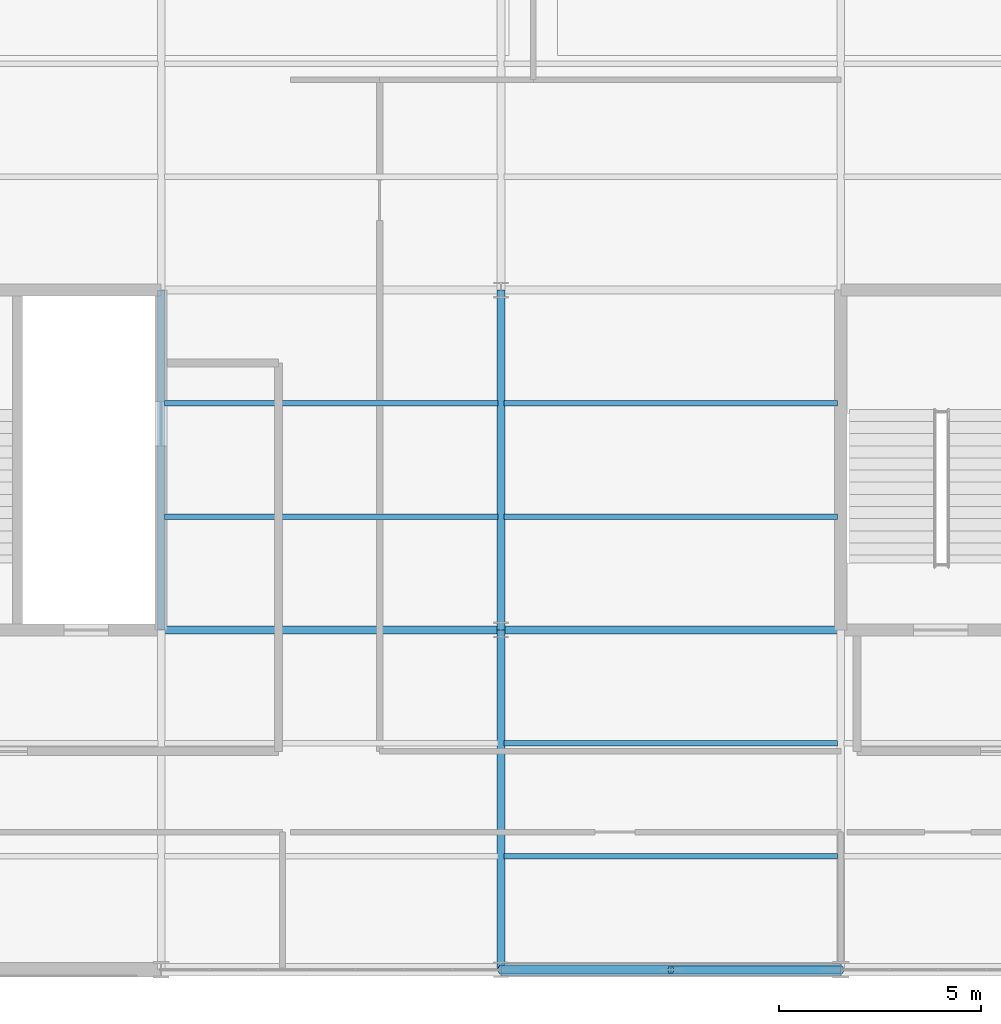
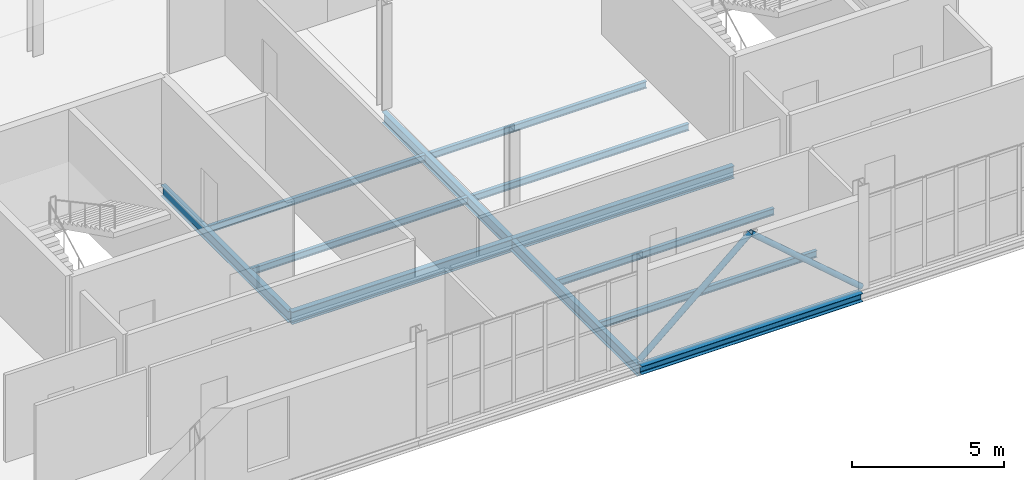
# One storey, part 29 of 163: 12 beams, 2 members.
"""IFC4 building model written with IfcOpenShell, lengths in metres."""

from ifc_helpers import new_model, si_unit, direction, frame, origin, origin_2d, place, context, subcontext, project, spatial, hollow_circle, i_section, extrude, material, material_profile, profile_set, type_object, element, save


model = new_model("IFC4")

# Units and contexts
model_context = context("Model", 3, precision=1e-05, world=origin(), true_north=direction((0.0, 1.0)))
body_context = subcontext(model_context, "Body", "Model", "MODEL_VIEW")
ifc_project = project(units=[si_unit("LENGTHUNIT", "METRE"), si_unit("AREAUNIT", "SQUARE_METRE"), si_unit("VOLUMEUNIT", "CUBIC_METRE"), si_unit("PLANEANGLEUNIT", "RADIAN"), si_unit("MASSUNIT", "GRAM", prefix="KILO")], contexts=[model_context])

# Site, building, storey
site_placement = place(None, origin())
site = spatial("IfcSite", under=ifc_project, at=site_placement, CompositionType="ELEMENT")
building_placement = place(site_placement, origin())
building = spatial("IfcBuilding", under=site, at=building_placement, Name="Qalvenar Corner Mobility Hub", CompositionType="ELEMENT")
storey_placement = place(building_placement, frame((0.0, 0.0, 4.800048828125)))
storey = spatial("IfcBuildingStorey", under=building, at=storey_placement, Name="L01", CompositionType="ELEMENT", Elevation=4.800048828125)

# Beams
ifc_material = material(Name="Steel S355", Category="steel")
ifc_material_profile_1 = material_profile(ifc_material, i_section(OverallWidth=0.18994140625, OverallDepth=0.449951171875, WebThickness=0.009521484375, FlangeThickness=0.0146484375, FilletRadius=0.02099609375, at=origin_2d()), Name="IPE450")
ifc_profile_set_1 = profile_set([ifc_material_profile_1], Name="Steel S355")
beam_type_1 = type_object("IfcBeamType", Name="BM-IPE450", PredefinedType="BEAM", material=ifc_profile_set_1)
beam_1_placement = place(storey_placement, frame((16.800048828125, 8.39990234375, -0.405029296875), z_axis=(0.0, 1.0, 0.0), x_axis=(-1.0, 0.0, 0.0)))
element("IfcBeam", 1, at=beam_1_placement, inside=storey, type_object=beam_type_1, Name="Primary Steel Girder GY-0862", PredefinedType="BEAM", context=body_context, shape_type="SweptSolid", body=[
    extrude(i_section(OverallWidth=0.18994140625, OverallDepth=0.449951171875, WebThickness=0.009521484375, FlangeThickness=0.0146484375, FilletRadius=0.02099609375, at=origin_2d()), origin(), (0.0, 0.0, 1.0), 8.400146484375),
])
beam_2_placement = place(storey_placement, frame((25.199951171875, 0.0, -0.405029296875), z_axis=(0.0, 1.0, 0.0), x_axis=(-1.0, 0.0, 0.0)))
element("IfcBeam", 2, at=beam_2_placement, inside=storey, type_object=beam_type_1, Name="Primary Steel Girder GY-0866", PredefinedType="BEAM", context=body_context, shape_type="SweptSolid", body=[
    extrude(i_section(OverallWidth=0.18994140625, OverallDepth=0.449951171875, WebThickness=0.009521484375, FlangeThickness=0.0146484375, FilletRadius=0.02099609375, at=origin_2d()), origin(), (0.0, 0.0, 1.0), 8.39990234375),
])
beam_3_placement = place(storey_placement, frame((25.199951171875, 8.39990234375, -0.405029296875), z_axis=(0.0, 1.0, 0.0), x_axis=(-1.0, 0.0, 0.0)))
element("IfcBeam", 3, at=beam_3_placement, inside=storey, type_object=beam_type_1, Name="Primary Steel Girder GY-0867", PredefinedType="BEAM", context=body_context, shape_type="SweptSolid", body=[
    extrude(i_section(OverallWidth=0.18994140625, OverallDepth=0.449951171875, WebThickness=0.009521484375, FlangeThickness=0.0146484375, FilletRadius=0.02099609375, at=origin_2d()), origin(), (0.0, 0.0, 1.0), 8.400146484375),
])
ifc_material_profile_2 = material_profile(ifc_material, i_section(OverallWidth=0.199951171875, OverallDepth=0.5, WebThickness=0.01025390625, FlangeThickness=0.01611328125, FilletRadius=0.02099609375, at=origin_2d()), Name="IPE500")
ifc_profile_set_2 = profile_set([ifc_material_profile_2], Name="Steel S355")
beam_type_2 = type_object("IfcBeamType", Name="BM-IPE500", PredefinedType="BEAM", material=ifc_profile_set_2)
beam_4_placement = place(storey_placement, frame((16.800048828125, 8.39990234375, -0.429931640625), z_axis=(1.0, 0.0, 0.0), x_axis=(0.0, 1.0, 0.0)))
element("IfcBeam", 4, at=beam_4_placement, inside=storey, type_object=beam_type_2, Name="Primary Steel Girder GX-0823", PredefinedType="BEAM", context=body_context, shape_type="SweptSolid", body=[
    extrude(i_section(OverallWidth=0.199951171875, OverallDepth=0.5, WebThickness=0.01025390625, FlangeThickness=0.01611328125, FilletRadius=0.02099609375, at=origin_2d()), origin(), (0.0, 0.0, 1.0), 8.39990234375),
])
beam_5_placement = place(storey_placement, frame((25.199951171875, 8.39990234375, -0.429931640625), z_axis=(1.0, 0.0, 0.0), x_axis=(0.0, 1.0, 0.0)))
element("IfcBeam", 5, at=beam_5_placement, inside=storey, type_object=beam_type_2, Name="Primary Steel Girder GX-0824", PredefinedType="BEAM", context=body_context, shape_type="SweptSolid", body=[
    extrude(i_section(OverallWidth=0.199951171875, OverallDepth=0.5, WebThickness=0.01025390625, FlangeThickness=0.01611328125, FilletRadius=0.02099609375, at=origin_2d()), origin(), (0.0, 0.0, 1.0), 8.400146484375),
])
ifc_material_profile_3 = material_profile(ifc_material, i_section(OverallWidth=0.135009765625, OverallDepth=0.27001953125, WebThickness=0.006591796875, FlangeThickness=0.01025390625, FilletRadius=0.014892578125, at=origin_2d()), Name="IPE270")
ifc_profile_set_3 = profile_set([ifc_material_profile_3], Name="Steel S355")
beam_type_3 = type_object("IfcBeamType", Name="BM-JST270", PredefinedType="JOIST", material=ifc_profile_set_3)
for number, where, z_axis, x_axis, name in (
    (6, (16.8779296875, 11.199951171875, -0.31494140625), (1.0, 0.0, 0.0), (0.0, 1.0, 0.0), "Composite Floor Joist J-0907"),
    (7, (16.8779296875, 14.0, -0.31494140625), (1.0, 0.0, 0.0), (0.0, 1.0, 0.0), "Composite Floor Joist J-0908"),
):
    element("IfcBeam", number, at=place(storey_placement, frame(where, z_axis=z_axis, x_axis=x_axis)), inside=storey, type_object=beam_type_3, Name=name, PredefinedType="JOIST", context=body_context, shape_type="SweptSolid", body=[
        extrude(i_section(OverallWidth=0.135009765625, OverallDepth=0.27001953125, WebThickness=0.006591796875, FlangeThickness=0.01025390625, FilletRadius=0.014892578125, at=origin_2d()), origin(), (0.0, 0.0, 1.0), 8.244140625),
    ])
for number, where, z_axis, x_axis, name in (
    (8, (25.278076171875, 2.800048828125, -0.31494140625), (1.0, 0.0, 0.0), (0.0, 1.0, 0.0), "Composite Floor Joist J-0915"),
    (9, (25.278076171875, 5.60009765625, -0.31494140625), (1.0, 0.0, 0.0), (0.0, 1.0, 0.0), "Composite Floor Joist J-0916"),
    (10, (25.278076171875, 11.199951171875, -0.31494140625), (1.0, 0.0, 0.0), (0.0, 1.0, 0.0), "Composite Floor Joist J-0917"),
    (11, (25.278076171875, 14.0, -0.31494140625), (1.0, 0.0, 0.0), (0.0, 1.0, 0.0), "Composite Floor Joist J-0918"),
):
    element("IfcBeam", number, at=place(storey_placement, frame(where, z_axis=z_axis, x_axis=x_axis)), inside=storey, type_object=beam_type_3, Name=name, PredefinedType="JOIST", context=body_context, shape_type="SweptSolid", body=[
        extrude(i_section(OverallWidth=0.135009765625, OverallDepth=0.27001953125, WebThickness=0.006591796875, FlangeThickness=0.01025390625, FilletRadius=0.014892578125, at=origin_2d()), origin(), (0.0, 0.0, 1.0), 8.243896484375),
    ])
ifc_material_profile_4 = material_profile(ifc_material, i_section(OverallWidth=0.300048828125, OverallDepth=0.330078125, WebThickness=0.009521484375, FlangeThickness=0.0166015625, FilletRadius=0.027099609375, at=origin_2d()), Name="HEA340")
ifc_profile_set_4 = profile_set([ifc_material_profile_4], Name="Steel S355")
beam_type_4 = type_object("IfcBeamType", Name="BM-SPN340", PredefinedType="SPANDREL", material=ifc_profile_set_4)
beam_6_placement = place(storey_placement, frame((25.199951171875, 0.0, -0.344970703125), z_axis=(1.0, 0.0, 0.0), x_axis=(0.0, 1.0, 0.0)))
element("IfcBeam", 12, at=beam_6_placement, inside=storey, type_object=beam_type_4, Name="Primary Steel Girder GX-0818", PredefinedType="SPANDREL", context=body_context, shape_type="SweptSolid", body=[
    extrude(i_section(OverallWidth=0.300048828125, OverallDepth=0.330078125, WebThickness=0.009521484375, FlangeThickness=0.0166015625, FilletRadius=0.027099609375, at=origin_2d()), origin(), (0.0, 0.0, 1.0), 8.400146484375),
])

# Members
ifc_material_profile_5 = material_profile(ifc_material, hollow_circle(Radius=0.109619140625, WallThickness=0.010009765625, at=origin_2d()), Name="CHS219.1x10")
ifc_profile_set_5 = profile_set([ifc_material_profile_5], Name="Steel S355")
member_type = type_object("IfcMemberType", Name="BR-CHS219", PredefinedType="BRACE", material=ifc_profile_set_5)
member_1_placement = place(storey_placement, frame((25.199951171875, 0.0, 0.02001953125), z_axis=(0.757479038629, 0.0, 0.652859484145), x_axis=(0.0, 1.0, 0.0)))
element("IfcMember", 13, at=member_1_placement, inside=storey, type_object=member_type, Name="Chevron Lateral Brace BR-003", PredefinedType="BRACE", context=body_context, shape_type="SweptSolid", body=[
    extrude(hollow_circle(Radius=0.109619140625, WallThickness=0.010009765625, at=origin_2d()), origin(), (0.0, 0.0, 1.0), 5.544677734375),
])
member_2_placement = place(storey_placement, frame((33.60009765625, 0.0, 0.02001953125), z_axis=(-0.757497805166, 0.0, 0.652837709672), x_axis=(0.0, -1.0, 0.0)))
element("IfcMember", 14, at=member_2_placement, inside=storey, type_object=member_type, Name="Chevron Lateral Brace BR-004", PredefinedType="BRACE", context=body_context, shape_type="SweptSolid", body=[
    extrude(hollow_circle(Radius=0.109619140625, WallThickness=0.010009765625, at=origin_2d()), origin(), (0.0, 0.0, 1.0), 5.544921875),
])

save(model, "model.ifc")
